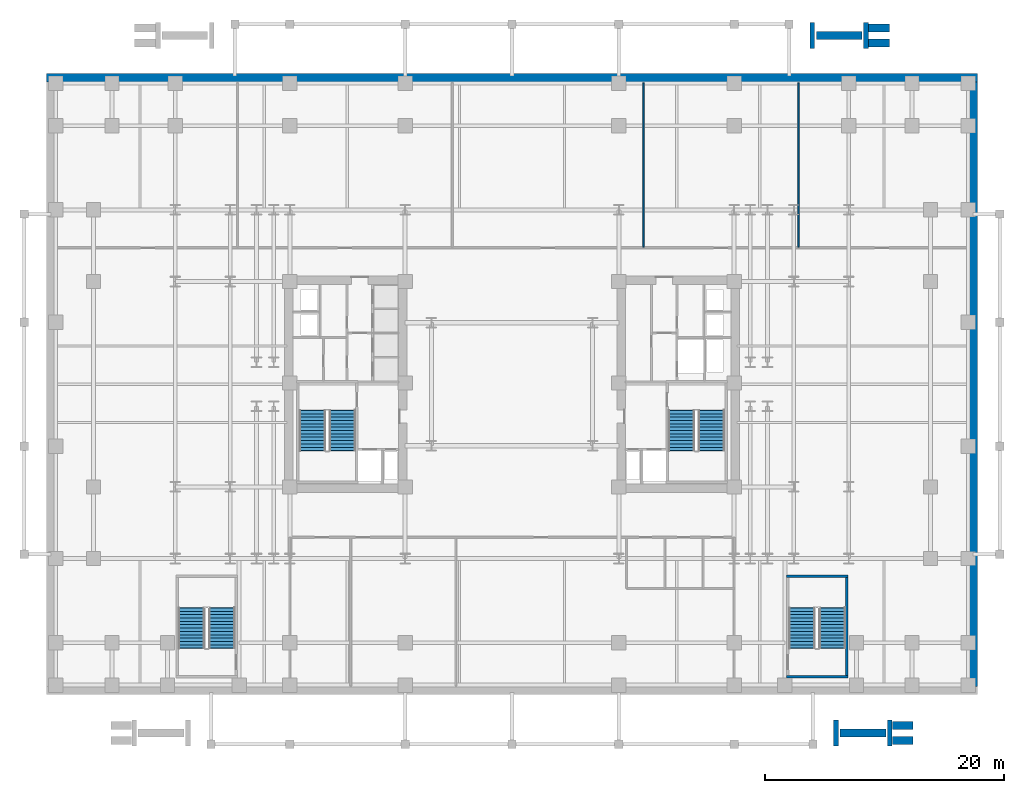
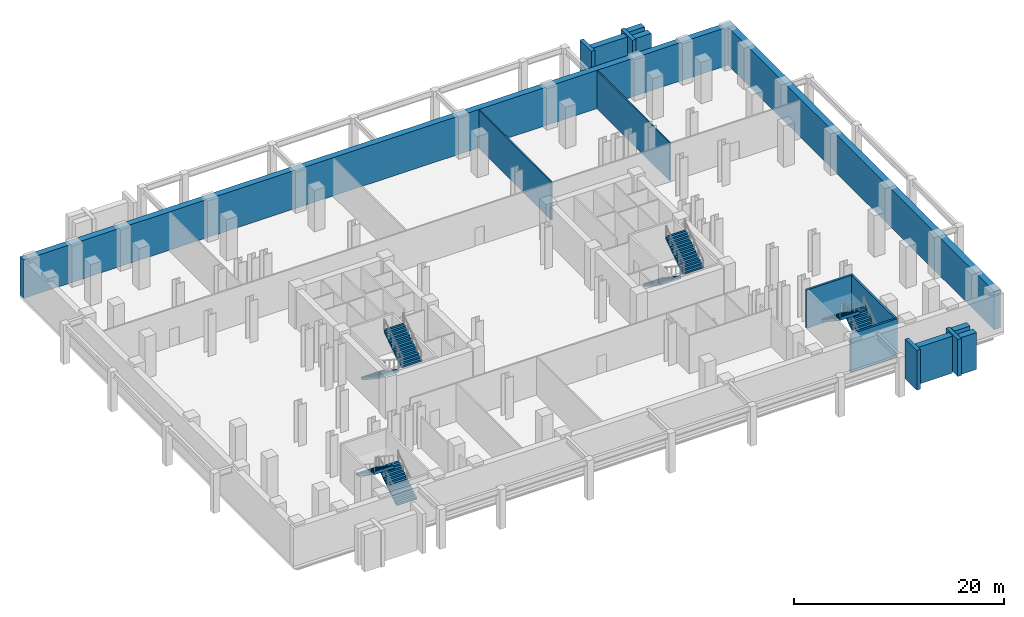
# One storey, part 10 of 13: 17 walls, 8 stair flights, 4 elements without a shape of their own.
"""IFC4 building model written with IfcOpenShell, lengths in metres."""

from ifc_helpers import new_model, si_unit, direction, frame, frame_2d, origin, place, context, subcontext, project, spatial, polyline, rectangle, outline, extrude, material, layer, layer_set, type_object, element, aggregate, save


model = new_model("IFC4")

# Units and contexts
model_context = context("Model", 3, precision=1e-05, world=origin(), true_north=direction((0.0, 1.0)))
body_context = subcontext(model_context, "Body", "Model", "MODEL_VIEW")
ifc_project = project(units=[si_unit("LENGTHUNIT", "METRE"), si_unit("AREAUNIT", "SQUARE_METRE"), si_unit("VOLUMEUNIT", "CUBIC_METRE"), si_unit("PLANEANGLEUNIT", "RADIAN"), si_unit("MASSUNIT", "GRAM", prefix="KILO")], contexts=[model_context])

# Site, building, storey
site_placement = place(None, origin())
site = spatial("IfcSite", under=ifc_project, at=site_placement, CompositionType="ELEMENT")
building_placement = place(site_placement, origin())
building = spatial("IfcBuilding", under=site, at=building_placement, Name="Velakula Bourse", CompositionType="ELEMENT")
storey_placement = place(building_placement, frame((0.0, 0.0, -4.800048828125)))
storey = spatial("IfcBuildingStorey", under=building, at=storey_placement, Name="B01", CompositionType="ELEMENT", Elevation=-4.800048828125)

# Walls
ifc_material_1 = material(Name="Concrete M50 (fck 50 MPa)", Category="concrete")
ifc_layer_1 = layer(ifc_material_1, 0.2099609375, Name="Concrete M50 (fck 50 MPa)", Category="concrete")
ifc_layer_set_1 = layer_set([ifc_layer_1], Name="Concrete M50 (fck 50 MPa)")
wall_type_1 = type_object("IfcWallType", Name="WL-CORE-210", PredefinedType="SHEAR", material=ifc_layer_set_1)
for number, where, z_axis, x_axis, name in (
    (1, (22.989990234375, -24.5048828125, 0.0), (0.0, 0.0, 1.0), (1.0, 0.0, 0.0), "B01 Podium Stair ST-P2 Shear Wall S"),
    (2, (22.989990234375, -16.094970703125, 0.0), (0.0, 0.0, 1.0), (1.0, 0.0, 0.0), "B01 Podium Stair ST-P2 Shear Wall N"),
):
    element("IfcWall", number, at=place(storey_placement, frame(where, z_axis=z_axis, x_axis=x_axis)), inside=storey, type_object=wall_type_1, Name=name, PredefinedType="SHEAR", context=body_context, shape_type="SweptSolid", body=[
        extrude(rectangle(XDim=5.139892578125, YDim=0.2099609375, at=frame_2d((2.56982421875, 0.0))), origin(), (0.0, 0.0, 1.0), 4.449951171875),
    ])
wall_1_placement = place(storey_placement, frame((28.02490234375, -24.39990234375, 0.0), z_axis=(0.0, 0.0, 1.0), x_axis=(0.0, 1.0, 0.0)))
element("IfcWall", 3, at=wall_1_placement, inside=storey, type_object=wall_type_1, Name="B01 Podium Stair ST-P2 Shear Wall E", PredefinedType="SHEAR", context=body_context, shape_type="SweptSolid", body=[
    extrude(rectangle(XDim=8.199951171875, YDim=0.2099609375, at=frame_2d((4.10009765625, 0.0))), origin(), (0.0, 0.0, 1.0), 4.449951171875),
])
ifc_material_2 = material(Name="Fire-rated double-layer gypsum drywall partition", Category="gypsum")
ifc_layer_2 = layer(ifc_material_2, 0.139892578125, Name="Fire-rated double-layer gypsum drywall partition", Category="gypsum")
ifc_layer_set_2 = layer_set([ifc_layer_2], Name="Fire-rated double-layer gypsum drywall partition")
wall_type_2 = type_object("IfcWallType", Name="WL-PART-140", PredefinedType="STANDARD", material=ifc_layer_set_2)
for number, where, z_axis, x_axis, name in (
    (4, (11.0, 11.489990234375, 0.0), (0.0, 0.0, 1.0), (0.0, 1.0, 0.0), "B01 Interior Partition WL-POD-B01-ND3"),
    (5, (24.0, 11.489990234375, 0.0), (0.0, 0.0, 1.0), (0.0, 1.0, 0.0), "B01 Interior Partition WL-POD-B01-ND4"),
):
    element("IfcWall", number, at=place(storey_placement, frame(where, z_axis=z_axis, x_axis=x_axis)), inside=storey, type_object=wall_type_2, Name=name, PredefinedType="STANDARD", context=body_context, shape_type="SweptSolid", body=[
        extrude(rectangle(XDim=13.75, YDim=0.139892578125, at=frame_2d((6.875, 0.0))), origin(), (0.0, 0.0, 1.0), 4.429931640625),
    ])
ifc_material_3 = material(Name="Concrete M70 (fck 70 MPa)", Category="concrete")
ifc_layer_3 = layer(ifc_material_3, 0.679931640625, Name="Concrete M70 (fck 70 MPa)", Category="concrete")
ifc_layer_set_3 = layer_set([ifc_layer_3], Name="Concrete M70 (fck 70 MPa)")
wall_type_3 = type_object("IfcWallType", Name="WL-RET-680", PredefinedType="SOLIDWALL", material=ifc_layer_set_3)
wall_2_placement = place(storey_placement, frame((31.639892578125, -30.300048828125, 0.0), z_axis=(0.0, 0.0, 1.0), x_axis=(0.0, 1.0, 0.0)))
element("IfcWall", 6, at=wall_2_placement, inside=storey, type_object=wall_type_3, Name="B01 Flood-Ramp BOT Bearing Wall SE", PredefinedType="SOLIDWALL", context=body_context, shape_type="SweptSolid", body=[
    extrude(rectangle(XDim=2.199951171875, YDim=0.39990234375, at=frame_2d((1.10009765625, 0.0))), origin(), (0.0, 0.0, 1.0), 4.304931640625),
])
wall_3_placement = place(storey_placement, frame((27.139892578125, -30.300048828125, 0.0), z_axis=(0.0, 0.0, 1.0), x_axis=(0.0, 1.0, 0.0)))
element("IfcWall", 7, at=wall_3_placement, inside=storey, type_object=wall_type_3, Name="B01 Flood-Ramp TOP Bearing Wall SE", PredefinedType="SOLIDWALL", context=body_context, shape_type="SweptSolid", body=[
    extrude(rectangle(XDim=2.199951171875, YDim=0.39990234375, at=frame_2d((1.10009765625, 0.0))), origin(), (0.0, 0.0, 1.0), 4.60498046875),
])
wall_4_placement = place(storey_placement, frame((27.47998046875, -29.199951171875, 0.0), z_axis=(0.0, 0.0, 1.0), x_axis=(1.0, 0.0, 0.0)))
element("IfcWall", 8, at=wall_4_placement, inside=storey, type_object=wall_type_3, Name="B01 Flood-Ramp Central Retaining Spine Wall SE", PredefinedType="SOLIDWALL", context=body_context, shape_type="SweptSolid", body=[
    extrude(rectangle(XDim=3.840087890625, YDim=0.679931640625, at=frame_2d((1.919921875, 0.0))), origin(), (0.0, 0.0, 1.0), 4.300048828125),
])
for number, where, z_axis, x_axis, name in (
    (9, (31.860107421875, -29.820068359375, 0.0), (0.0, 0.0, 1.0), (1.0, 0.0, 0.0), "B01 Flood-Ramp Landing Wall SE-1"),
    (10, (31.860107421875, -28.580078125, 0.0), (0.0, 0.0, 1.0), (1.0, 0.0, 0.0), "B01 Flood-Ramp Landing Wall SE-2"),
):
    element("IfcWall", number, at=place(storey_placement, frame(where, z_axis=z_axis, x_axis=x_axis)), inside=storey, type_object=wall_type_3, Name=name, PredefinedType="SOLIDWALL", context=body_context, shape_type="SweptSolid", body=[
        extrude(rectangle(XDim=1.739990234375, YDim=0.679931640625, at=frame_2d((0.8701171875, 0.0))), origin(), (0.0, 0.0, 1.0), 4.2900390625),
    ])
wall_5_placement = place(storey_placement, frame((29.639892578125, 28.10009765625, 0.0), z_axis=(0.0, 0.0, 1.0), x_axis=(0.0, 1.0, 0.0)))
element("IfcWall", 11, at=wall_5_placement, inside=storey, type_object=wall_type_3, Name="B01 Flood-Ramp BOT Bearing Wall NE", PredefinedType="SOLIDWALL", context=body_context, shape_type="SweptSolid", body=[
    extrude(rectangle(XDim=2.199951171875, YDim=0.39990234375, at=frame_2d((1.10009765625, 0.0))), origin(), (0.0, 0.0, 1.0), 4.304931640625),
])
wall_6_placement = place(storey_placement, frame((25.139892578125, 28.10009765625, 0.0), z_axis=(0.0, 0.0, 1.0), x_axis=(0.0, 1.0, 0.0)))
element("IfcWall", 12, at=wall_6_placement, inside=storey, type_object=wall_type_3, Name="B01 Flood-Ramp TOP Bearing Wall NE", PredefinedType="SOLIDWALL", context=body_context, shape_type="SweptSolid", body=[
    extrude(rectangle(XDim=2.199951171875, YDim=0.39990234375, at=frame_2d((1.10009765625, 0.0))), origin(), (0.0, 0.0, 1.0), 4.60498046875),
])
wall_7_placement = place(storey_placement, frame((25.47998046875, 29.199951171875, 0.0), z_axis=(0.0, 0.0, 1.0), x_axis=(1.0, 0.0, 0.0)))
element("IfcWall", 13, at=wall_7_placement, inside=storey, type_object=wall_type_3, Name="B01 Flood-Ramp Central Retaining Spine Wall NE", PredefinedType="SOLIDWALL", context=body_context, shape_type="SweptSolid", body=[
    extrude(rectangle(XDim=3.840087890625, YDim=0.679931640625, at=frame_2d((1.919921875, 0.0))), origin(), (0.0, 0.0, 1.0), 4.300048828125),
])
for number, where, z_axis, x_axis, name in (
    (14, (29.860107421875, 28.580078125, 0.0), (0.0, 0.0, 1.0), (1.0, 0.0, 0.0), "B01 Flood-Ramp Landing Wall NE-1"),
    (15, (29.860107421875, 29.820068359375, 0.0), (0.0, 0.0, 1.0), (1.0, 0.0, 0.0), "B01 Flood-Ramp Landing Wall NE-2"),
):
    element("IfcWall", number, at=place(storey_placement, frame(where, z_axis=z_axis, x_axis=x_axis)), inside=storey, type_object=wall_type_3, Name=name, PredefinedType="SOLIDWALL", context=body_context, shape_type="SweptSolid", body=[
        extrude(rectangle(XDim=1.739990234375, YDim=0.679931640625, at=frame_2d((0.8701171875, 0.0))), origin(), (0.0, 0.0, 1.0), 4.2900390625),
    ])
wall_8_placement = place(storey_placement, frame((39.0, 25.659912109375, 0.0), z_axis=(0.0, 0.0, 1.0), x_axis=(-1.0, 0.0, 0.0)))
element("IfcWall", 16, at=wall_8_placement, inside=storey, type_object=wall_type_3, Name="B01 Diaphragm Retaining Wall N", PredefinedType="SOLIDWALL", context=body_context, shape_type="SweptSolid", body=[
    extrude(rectangle(XDim=78.0, YDim=0.679931640625, at=frame_2d((39.0, 0.0))), origin(), (0.0, 0.0, 1.0), 4.449951171875),
])
wall_9_placement = place(storey_placement, frame((38.659912109375, 25.320068359375, 0.0), z_axis=(0.0, 0.0, 1.0), x_axis=(0.0, -1.0, 0.0)))
element("IfcWall", 17, at=wall_9_placement, inside=storey, type_object=wall_type_3, Name="B01 Diaphragm Retaining Wall E", PredefinedType="SOLIDWALL", context=body_context, shape_type="SweptSolid", body=[
    extrude(rectangle(XDim=50.64013671875, YDim=0.679931640625, at=frame_2d((25.320068359375, 0.0))), origin(), (0.0, 0.0, 1.0), 4.449951171875),
])

# Stair, stair flights
ifc_material_4 = material(Name="Concrete M45 (fck 45 MPa)", Category="concrete")
stair_type = type_object("IfcStairType", Name="STR-DOG-480", PredefinedType="HALF_TURN_STAIR", material=ifc_material_4)
stair_1_placement = place(storey_placement, origin())
stair_1 = element("IfcStair", 18, at=stair_1_placement, inside=storey, type_object=stair_type, Name="B01 West Core Exit Stair ST-W1", PredefinedType="HALF_TURN_STAIR")
ifc_layer_4 = layer(ifc_material_4, 0.199951171875, Name="Concrete M45 (fck 45 MPa)", Category="concrete")
ifc_layer_set_4 = layer_set([ifc_layer_4], Name="Concrete M45 (fck 45 MPa)")
stair_flight_type = type_object("IfcStairFlightType", Name="FLT-DOG-480", PredefinedType="STRAIGHT", material=ifc_layer_set_4)
stair_flight_1_placement = place(storey_placement, frame((-16.720947265625, -2.199951171875, 0.0), z_axis=(0.0, 0.0, 1.0), x_axis=(0.0, -1.0, 0.0)))
stair_flight_1 = element("IfcStairFlight", 19, at=stair_flight_1_placement, type_object=stair_flight_type, Name="ST-W1 flight 1", NumberOfRisers=13, NumberOfTreads=12, PredefinedType="STRAIGHT", RiserHeight=0.184615385, TreadLength=0.28, context=body_context, shape_type="SweptSolid", body=[
    extrude(outline(polyline([(-0.044921875, -0.0400390625), (-0.044921875, -0.036865234375), (-0.044921875, -0.033935546875), (-0.044921875, -0.03076171875), (-0.044921875, -0.027587890625), (-0.044921875, -0.024658203125), (-0.044921875, -0.021484375), (-0.044921875, -0.0185546875), (-0.044921875, -0.015380859375), (-0.044921875, -0.01220703125), (-0.044921875, -0.00927734375), (-0.044921875, -0.006103515625), (-0.044921875, -0.003173828125), (-0.044921875, 0.0), (0.0, 0.0), (0.0, 0.1845703125), (0.280029296875, 0.1845703125), (0.280029296875, 0.369140625), (0.56005859375, 0.369140625), (0.56005859375, 0.553955078125), (0.840087890625, 0.553955078125), (0.840087890625, 0.738525390625), (1.1201171875, 0.738525390625), (1.1201171875, 0.923095703125), (1.39990234375, 0.923095703125), (1.39990234375, 1.107666015625), (1.679931640625, 1.107666015625), (1.679931640625, 1.292236328125), (1.9599609375, 1.292236328125), (1.9599609375, 1.476806640625), (2.239990234375, 1.476806640625), (2.239990234375, 1.66162109375), (2.52001953125, 1.66162109375), (2.52001953125, 1.84619140625), (2.800048828125, 1.84619140625), (2.800048828125, 2.03076171875), (3.080078125, 2.03076171875), (3.080078125, 2.21533203125), (3.360107421875, 2.21533203125), (3.360107421875, 2.39990234375), (3.405029296875, 2.39990234375), (3.405029296875, 2.3740234375), (3.405029296875, 2.347900390625), (3.405029296875, 2.322021484375), (3.405029296875, 2.2958984375), (3.405029296875, 2.27001953125), (3.405029296875, 2.243896484375), (3.405029296875, 2.218017578125), (3.405029296875, 2.19189453125), (3.405029296875, 2.165771484375), (3.405029296875, 2.139892578125), (3.405029296875, 2.11376953125), (3.405029296875, 2.087890625), (3.405029296875, 2.061767578125), (3.405029296875, 2.035888671875), (0.272216796875, -0.0400390625), (-0.044921875, -0.0400390625)])), frame((0.0, 1.09912109375, 0.0), z_axis=(0.0, -1.0, 0.0), x_axis=(1.0, 0.0, 0.0)), (0.0, 0.0, 1.0), 2.197998046875),
])
stair_flight_2_placement = place(storey_placement, frame((-14.198974609375, -5.56005859375, 2.400146484375), z_axis=(0.0, 0.0, 1.0), x_axis=(0.0, 1.0, 0.0)))
stair_flight_2 = element("IfcStairFlight", 20, at=stair_flight_2_placement, type_object=stair_flight_type, Name="ST-W1 flight 2", NumberOfRisers=13, NumberOfTreads=12, PredefinedType="STRAIGHT", RiserHeight=0.184615385, TreadLength=0.28, context=body_context, shape_type="SweptSolid", body=[
    extrude(outline(polyline([(-0.044921875, -0.0400390625), (-0.044921875, -0.036865234375), (-0.044921875, -0.033935546875), (-0.044921875, -0.03076171875), (-0.044921875, -0.027587890625), (-0.044921875, -0.024658203125), (-0.044921875, -0.021484375), (-0.044921875, -0.0185546875), (-0.044921875, -0.015380859375), (-0.044921875, -0.01220703125), (-0.044921875, -0.00927734375), (-0.044921875, -0.006103515625), (-0.044921875, -0.003173828125), (-0.044921875, 0.0), (0.0, 0.0), (0.0, 0.1845703125), (0.280029296875, 0.1845703125), (0.280029296875, 0.369140625), (0.56005859375, 0.369140625), (0.56005859375, 0.553955078125), (0.840087890625, 0.553955078125), (0.840087890625, 0.738525390625), (1.1201171875, 0.738525390625), (1.1201171875, 0.923095703125), (1.39990234375, 0.923095703125), (1.39990234375, 1.107666015625), (1.679931640625, 1.107666015625), (1.679931640625, 1.292236328125), (1.9599609375, 1.292236328125), (1.9599609375, 1.476806640625), (2.239990234375, 1.476806640625), (2.239990234375, 1.66162109375), (2.52001953125, 1.66162109375), (2.52001953125, 1.84619140625), (2.800048828125, 1.84619140625), (2.800048828125, 2.03076171875), (3.080078125, 2.03076171875), (3.080078125, 2.21533203125), (3.360107421875, 2.21533203125), (3.360107421875, 2.39990234375), (3.405029296875, 2.39990234375), (3.405029296875, 2.3740234375), (3.405029296875, 2.347900390625), (3.405029296875, 2.322021484375), (3.405029296875, 2.2958984375), (3.405029296875, 2.27001953125), (3.405029296875, 2.243896484375), (3.405029296875, 2.218017578125), (3.405029296875, 2.19189453125), (3.405029296875, 2.165771484375), (3.405029296875, 2.139892578125), (3.405029296875, 2.11376953125), (3.405029296875, 2.087890625), (3.405029296875, 2.061767578125), (3.405029296875, 2.035888671875), (0.272216796875, -0.0400390625), (-0.044921875, -0.0400390625)])), frame((0.0, 1.09912109375, 0.0), z_axis=(0.0, -1.0, 0.0), x_axis=(1.0, 0.0, 0.0)), (0.0, 0.0, 1.0), 2.197998046875),
])
aggregate(stair_1, [stair_flight_1, stair_flight_2])

stair_2_placement = place(storey_placement, origin())
stair_2 = element("IfcStair", 21, at=stair_2_placement, inside=storey, type_object=stair_type, Name="B01 East Core Exit Stair ST-E1", PredefinedType="HALF_TURN_STAIR")
stair_flight_3_placement = place(storey_placement, frame((14.198974609375, -2.199951171875, 0.0), z_axis=(0.0, 0.0, 1.0), x_axis=(0.0, -1.0, 0.0)))
stair_flight_3 = element("IfcStairFlight", 22, at=stair_flight_3_placement, type_object=stair_flight_type, Name="ST-E1 flight 1", NumberOfRisers=13, NumberOfTreads=12, PredefinedType="STRAIGHT", RiserHeight=0.184615385, TreadLength=0.28, context=body_context, shape_type="SweptSolid", body=[
    extrude(outline(polyline([(-0.044921875, -0.0400390625), (-0.044921875, -0.036865234375), (-0.044921875, -0.033935546875), (-0.044921875, -0.03076171875), (-0.044921875, -0.027587890625), (-0.044921875, -0.024658203125), (-0.044921875, -0.021484375), (-0.044921875, -0.0185546875), (-0.044921875, -0.015380859375), (-0.044921875, -0.01220703125), (-0.044921875, -0.00927734375), (-0.044921875, -0.006103515625), (-0.044921875, -0.003173828125), (-0.044921875, 0.0), (0.0, 0.0), (0.0, 0.1845703125), (0.280029296875, 0.1845703125), (0.280029296875, 0.369140625), (0.56005859375, 0.369140625), (0.56005859375, 0.553955078125), (0.840087890625, 0.553955078125), (0.840087890625, 0.738525390625), (1.1201171875, 0.738525390625), (1.1201171875, 0.923095703125), (1.39990234375, 0.923095703125), (1.39990234375, 1.107666015625), (1.679931640625, 1.107666015625), (1.679931640625, 1.292236328125), (1.9599609375, 1.292236328125), (1.9599609375, 1.476806640625), (2.239990234375, 1.476806640625), (2.239990234375, 1.66162109375), (2.52001953125, 1.66162109375), (2.52001953125, 1.84619140625), (2.800048828125, 1.84619140625), (2.800048828125, 2.03076171875), (3.080078125, 2.03076171875), (3.080078125, 2.21533203125), (3.360107421875, 2.21533203125), (3.360107421875, 2.39990234375), (3.405029296875, 2.39990234375), (3.405029296875, 2.3740234375), (3.405029296875, 2.347900390625), (3.405029296875, 2.322021484375), (3.405029296875, 2.2958984375), (3.405029296875, 2.27001953125), (3.405029296875, 2.243896484375), (3.405029296875, 2.218017578125), (3.405029296875, 2.19189453125), (3.405029296875, 2.165771484375), (3.405029296875, 2.139892578125), (3.405029296875, 2.11376953125), (3.405029296875, 2.087890625), (3.405029296875, 2.061767578125), (3.405029296875, 2.035888671875), (0.272216796875, -0.0400390625), (-0.044921875, -0.0400390625)])), frame((0.0, 1.09912109375, 0.0), z_axis=(0.0, -1.0, 0.0), x_axis=(1.0, 0.0, 0.0)), (0.0, 0.0, 1.0), 2.197998046875),
])
stair_flight_4_placement = place(storey_placement, frame((16.720947265625, -5.56005859375, 2.400146484375), z_axis=(0.0, 0.0, 1.0), x_axis=(0.0, 1.0, 0.0)))
stair_flight_4 = element("IfcStairFlight", 23, at=stair_flight_4_placement, type_object=stair_flight_type, Name="ST-E1 flight 2", NumberOfRisers=13, NumberOfTreads=12, PredefinedType="STRAIGHT", RiserHeight=0.184615385, TreadLength=0.28, context=body_context, shape_type="SweptSolid", body=[
    extrude(outline(polyline([(-0.044921875, -0.0400390625), (-0.044921875, -0.036865234375), (-0.044921875, -0.033935546875), (-0.044921875, -0.03076171875), (-0.044921875, -0.027587890625), (-0.044921875, -0.024658203125), (-0.044921875, -0.021484375), (-0.044921875, -0.0185546875), (-0.044921875, -0.015380859375), (-0.044921875, -0.01220703125), (-0.044921875, -0.00927734375), (-0.044921875, -0.006103515625), (-0.044921875, -0.003173828125), (-0.044921875, 0.0), (0.0, 0.0), (0.0, 0.1845703125), (0.280029296875, 0.1845703125), (0.280029296875, 0.369140625), (0.56005859375, 0.369140625), (0.56005859375, 0.553955078125), (0.840087890625, 0.553955078125), (0.840087890625, 0.738525390625), (1.1201171875, 0.738525390625), (1.1201171875, 0.923095703125), (1.39990234375, 0.923095703125), (1.39990234375, 1.107666015625), (1.679931640625, 1.107666015625), (1.679931640625, 1.292236328125), (1.9599609375, 1.292236328125), (1.9599609375, 1.476806640625), (2.239990234375, 1.476806640625), (2.239990234375, 1.66162109375), (2.52001953125, 1.66162109375), (2.52001953125, 1.84619140625), (2.800048828125, 1.84619140625), (2.800048828125, 2.03076171875), (3.080078125, 2.03076171875), (3.080078125, 2.21533203125), (3.360107421875, 2.21533203125), (3.360107421875, 2.39990234375), (3.405029296875, 2.39990234375), (3.405029296875, 2.3740234375), (3.405029296875, 2.347900390625), (3.405029296875, 2.322021484375), (3.405029296875, 2.2958984375), (3.405029296875, 2.27001953125), (3.405029296875, 2.243896484375), (3.405029296875, 2.218017578125), (3.405029296875, 2.19189453125), (3.405029296875, 2.165771484375), (3.405029296875, 2.139892578125), (3.405029296875, 2.11376953125), (3.405029296875, 2.087890625), (3.405029296875, 2.061767578125), (3.405029296875, 2.035888671875), (0.272216796875, -0.0400390625), (-0.044921875, -0.0400390625)])), frame((0.0, 1.09912109375, 0.0), z_axis=(0.0, -1.0, 0.0), x_axis=(1.0, 0.0, 0.0)), (0.0, 0.0, 1.0), 2.197998046875),
])
aggregate(stair_2, [stair_flight_3, stair_flight_4])

stair_3_placement = place(storey_placement, origin())
stair_3 = element("IfcStair", 24, at=stair_3_placement, inside=storey, type_object=stair_type, Name="B01 West Podium Exit Stair ST-P1", PredefinedType="HALF_TURN_STAIR")
stair_flight_5_placement = place(storey_placement, frame((-24.299072265625, -22.10009765625, 0.0), z_axis=(0.0, 0.0, 1.0), x_axis=(0.0, 1.0, 0.0)))
stair_flight_5 = element("IfcStairFlight", 25, at=stair_flight_5_placement, type_object=stair_flight_type, Name="ST-P1 flight 1", NumberOfRisers=13, NumberOfTreads=12, PredefinedType="STRAIGHT", RiserHeight=0.184615385, TreadLength=0.28, context=body_context, shape_type="SweptSolid", body=[
    extrude(outline(polyline([(-0.044921875, -0.0400390625), (-0.044921875, -0.036865234375), (-0.044921875, -0.033935546875), (-0.044921875, -0.03076171875), (-0.044921875, -0.027587890625), (-0.044921875, -0.024658203125), (-0.044921875, -0.021484375), (-0.044921875, -0.0185546875), (-0.044921875, -0.015380859375), (-0.044921875, -0.01220703125), (-0.044921875, -0.00927734375), (-0.044921875, -0.006103515625), (-0.044921875, -0.003173828125), (-0.044921875, 0.0), (0.0, 0.0), (0.0, 0.1845703125), (0.280029296875, 0.1845703125), (0.280029296875, 0.369140625), (0.56005859375, 0.369140625), (0.56005859375, 0.553955078125), (0.840087890625, 0.553955078125), (0.840087890625, 0.738525390625), (1.1201171875, 0.738525390625), (1.1201171875, 0.923095703125), (1.39990234375, 0.923095703125), (1.39990234375, 1.107666015625), (1.679931640625, 1.107666015625), (1.679931640625, 1.292236328125), (1.9599609375, 1.292236328125), (1.9599609375, 1.476806640625), (2.239990234375, 1.476806640625), (2.239990234375, 1.66162109375), (2.52001953125, 1.66162109375), (2.52001953125, 1.84619140625), (2.800048828125, 1.84619140625), (2.800048828125, 2.03076171875), (3.080078125, 2.03076171875), (3.080078125, 2.21533203125), (3.360107421875, 2.21533203125), (3.360107421875, 2.39990234375), (3.405029296875, 2.39990234375), (3.405029296875, 2.3740234375), (3.405029296875, 2.347900390625), (3.405029296875, 2.322021484375), (3.405029296875, 2.2958984375), (3.405029296875, 2.27001953125), (3.405029296875, 2.243896484375), (3.405029296875, 2.218017578125), (3.405029296875, 2.19189453125), (3.405029296875, 2.165771484375), (3.405029296875, 2.139892578125), (3.405029296875, 2.11376953125), (3.405029296875, 2.087890625), (3.405029296875, 2.061767578125), (3.405029296875, 2.035888671875), (0.272216796875, -0.0400390625), (-0.044921875, -0.0400390625)])), frame((0.0, 1.09912109375, 0.0), z_axis=(0.0, -1.0, 0.0), x_axis=(1.0, 0.0, 0.0)), (0.0, 0.0, 1.0), 2.197998046875),
])
stair_flight_6_placement = place(storey_placement, frame((-26.821044921875, -18.739990234375, 2.400146484375), z_axis=(0.0, 0.0, 1.0), x_axis=(0.0, -1.0, 0.0)))
stair_flight_6 = element("IfcStairFlight", 26, at=stair_flight_6_placement, type_object=stair_flight_type, Name="ST-P1 flight 2", NumberOfRisers=13, NumberOfTreads=12, PredefinedType="STRAIGHT", RiserHeight=0.184615385, TreadLength=0.28, context=body_context, shape_type="SweptSolid", body=[
    extrude(outline(polyline([(-0.044921875, -0.0400390625), (-0.044921875, -0.036865234375), (-0.044921875, -0.033935546875), (-0.044921875, -0.03076171875), (-0.044921875, -0.027587890625), (-0.044921875, -0.024658203125), (-0.044921875, -0.021484375), (-0.044921875, -0.0185546875), (-0.044921875, -0.015380859375), (-0.044921875, -0.01220703125), (-0.044921875, -0.00927734375), (-0.044921875, -0.006103515625), (-0.044921875, -0.003173828125), (-0.044921875, 0.0), (0.0, 0.0), (0.0, 0.1845703125), (0.280029296875, 0.1845703125), (0.280029296875, 0.369140625), (0.56005859375, 0.369140625), (0.56005859375, 0.553955078125), (0.840087890625, 0.553955078125), (0.840087890625, 0.738525390625), (1.1201171875, 0.738525390625), (1.1201171875, 0.923095703125), (1.39990234375, 0.923095703125), (1.39990234375, 1.107666015625), (1.679931640625, 1.107666015625), (1.679931640625, 1.292236328125), (1.9599609375, 1.292236328125), (1.9599609375, 1.476806640625), (2.239990234375, 1.476806640625), (2.239990234375, 1.66162109375), (2.52001953125, 1.66162109375), (2.52001953125, 1.84619140625), (2.800048828125, 1.84619140625), (2.800048828125, 2.03076171875), (3.080078125, 2.03076171875), (3.080078125, 2.21533203125), (3.360107421875, 2.21533203125), (3.360107421875, 2.39990234375), (3.405029296875, 2.39990234375), (3.405029296875, 2.3740234375), (3.405029296875, 2.347900390625), (3.405029296875, 2.322021484375), (3.405029296875, 2.2958984375), (3.405029296875, 2.27001953125), (3.405029296875, 2.243896484375), (3.405029296875, 2.218017578125), (3.405029296875, 2.19189453125), (3.405029296875, 2.165771484375), (3.405029296875, 2.139892578125), (3.405029296875, 2.11376953125), (3.405029296875, 2.087890625), (3.405029296875, 2.061767578125), (3.405029296875, 2.035888671875), (0.272216796875, -0.0400390625), (-0.044921875, -0.0400390625)])), frame((0.0, 1.09912109375, 0.0), z_axis=(0.0, -1.0, 0.0), x_axis=(1.0, 0.0, 0.0)), (0.0, 0.0, 1.0), 2.197998046875),
])
aggregate(stair_3, [stair_flight_5, stair_flight_6])

stair_4_placement = place(storey_placement, origin())
stair_4 = element("IfcStair", 27, at=stair_4_placement, inside=storey, type_object=stair_type, Name="B01 East Podium Exit Stair ST-P2", PredefinedType="HALF_TURN_STAIR")
stair_flight_7_placement = place(storey_placement, frame((26.821044921875, -22.10009765625, 0.0), z_axis=(0.0, 0.0, 1.0), x_axis=(0.0, 1.0, 0.0)))
stair_flight_7 = element("IfcStairFlight", 28, at=stair_flight_7_placement, type_object=stair_flight_type, Name="ST-P2 flight 1", NumberOfRisers=13, NumberOfTreads=12, PredefinedType="STRAIGHT", RiserHeight=0.184615385, TreadLength=0.28, context=body_context, shape_type="SweptSolid", body=[
    extrude(outline(polyline([(-0.044921875, -0.0400390625), (-0.044921875, -0.036865234375), (-0.044921875, -0.033935546875), (-0.044921875, -0.03076171875), (-0.044921875, -0.027587890625), (-0.044921875, -0.024658203125), (-0.044921875, -0.021484375), (-0.044921875, -0.0185546875), (-0.044921875, -0.015380859375), (-0.044921875, -0.01220703125), (-0.044921875, -0.00927734375), (-0.044921875, -0.006103515625), (-0.044921875, -0.003173828125), (-0.044921875, 0.0), (0.0, 0.0), (0.0, 0.1845703125), (0.280029296875, 0.1845703125), (0.280029296875, 0.369140625), (0.56005859375, 0.369140625), (0.56005859375, 0.553955078125), (0.840087890625, 0.553955078125), (0.840087890625, 0.738525390625), (1.1201171875, 0.738525390625), (1.1201171875, 0.923095703125), (1.39990234375, 0.923095703125), (1.39990234375, 1.107666015625), (1.679931640625, 1.107666015625), (1.679931640625, 1.292236328125), (1.9599609375, 1.292236328125), (1.9599609375, 1.476806640625), (2.239990234375, 1.476806640625), (2.239990234375, 1.66162109375), (2.52001953125, 1.66162109375), (2.52001953125, 1.84619140625), (2.800048828125, 1.84619140625), (2.800048828125, 2.03076171875), (3.080078125, 2.03076171875), (3.080078125, 2.21533203125), (3.360107421875, 2.21533203125), (3.360107421875, 2.39990234375), (3.405029296875, 2.39990234375), (3.405029296875, 2.3740234375), (3.405029296875, 2.347900390625), (3.405029296875, 2.322021484375), (3.405029296875, 2.2958984375), (3.405029296875, 2.27001953125), (3.405029296875, 2.243896484375), (3.405029296875, 2.218017578125), (3.405029296875, 2.19189453125), (3.405029296875, 2.165771484375), (3.405029296875, 2.139892578125), (3.405029296875, 2.11376953125), (3.405029296875, 2.087890625), (3.405029296875, 2.061767578125), (3.405029296875, 2.035888671875), (0.272216796875, -0.0400390625), (-0.044921875, -0.0400390625)])), frame((0.0, 1.09912109375, 0.0), z_axis=(0.0, -1.0, 0.0), x_axis=(1.0, 0.0, 0.0)), (0.0, 0.0, 1.0), 2.197998046875),
])
stair_flight_8_placement = place(storey_placement, frame((24.299072265625, -18.739990234375, 2.400146484375), z_axis=(0.0, 0.0, 1.0), x_axis=(0.0, -1.0, 0.0)))
stair_flight_8 = element("IfcStairFlight", 29, at=stair_flight_8_placement, type_object=stair_flight_type, Name="ST-P2 flight 2", NumberOfRisers=13, NumberOfTreads=12, PredefinedType="STRAIGHT", RiserHeight=0.184615385, TreadLength=0.28, context=body_context, shape_type="SweptSolid", body=[
    extrude(outline(polyline([(-0.044921875, -0.0400390625), (-0.044921875, -0.036865234375), (-0.044921875, -0.033935546875), (-0.044921875, -0.03076171875), (-0.044921875, -0.027587890625), (-0.044921875, -0.024658203125), (-0.044921875, -0.021484375), (-0.044921875, -0.0185546875), (-0.044921875, -0.015380859375), (-0.044921875, -0.01220703125), (-0.044921875, -0.00927734375), (-0.044921875, -0.006103515625), (-0.044921875, -0.003173828125), (-0.044921875, 0.0), (0.0, 0.0), (0.0, 0.1845703125), (0.280029296875, 0.1845703125), (0.280029296875, 0.369140625), (0.56005859375, 0.369140625), (0.56005859375, 0.553955078125), (0.840087890625, 0.553955078125), (0.840087890625, 0.738525390625), (1.1201171875, 0.738525390625), (1.1201171875, 0.923095703125), (1.39990234375, 0.923095703125), (1.39990234375, 1.107666015625), (1.679931640625, 1.107666015625), (1.679931640625, 1.292236328125), (1.9599609375, 1.292236328125), (1.9599609375, 1.476806640625), (2.239990234375, 1.476806640625), (2.239990234375, 1.66162109375), (2.52001953125, 1.66162109375), (2.52001953125, 1.84619140625), (2.800048828125, 1.84619140625), (2.800048828125, 2.03076171875), (3.080078125, 2.03076171875), (3.080078125, 2.21533203125), (3.360107421875, 2.21533203125), (3.360107421875, 2.39990234375), (3.405029296875, 2.39990234375), (3.405029296875, 2.3740234375), (3.405029296875, 2.347900390625), (3.405029296875, 2.322021484375), (3.405029296875, 2.2958984375), (3.405029296875, 2.27001953125), (3.405029296875, 2.243896484375), (3.405029296875, 2.218017578125), (3.405029296875, 2.19189453125), (3.405029296875, 2.165771484375), (3.405029296875, 2.139892578125), (3.405029296875, 2.11376953125), (3.405029296875, 2.087890625), (3.405029296875, 2.061767578125), (3.405029296875, 2.035888671875), (0.272216796875, -0.0400390625), (-0.044921875, -0.0400390625)])), frame((0.0, 1.09912109375, 0.0), z_axis=(0.0, -1.0, 0.0), x_axis=(1.0, 0.0, 0.0)), (0.0, 0.0, 1.0), 2.197998046875),
])
aggregate(stair_4, [stair_flight_7, stair_flight_8])

save(model, "model.ifc")
